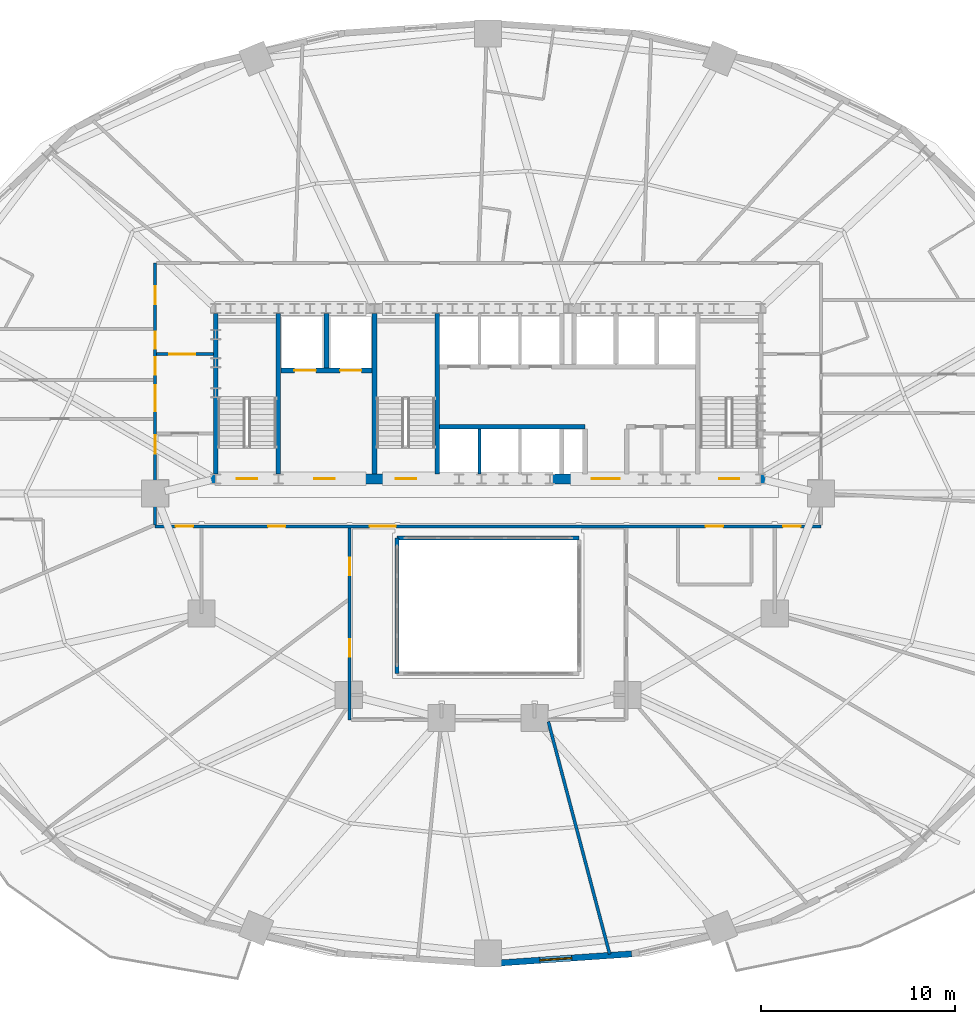
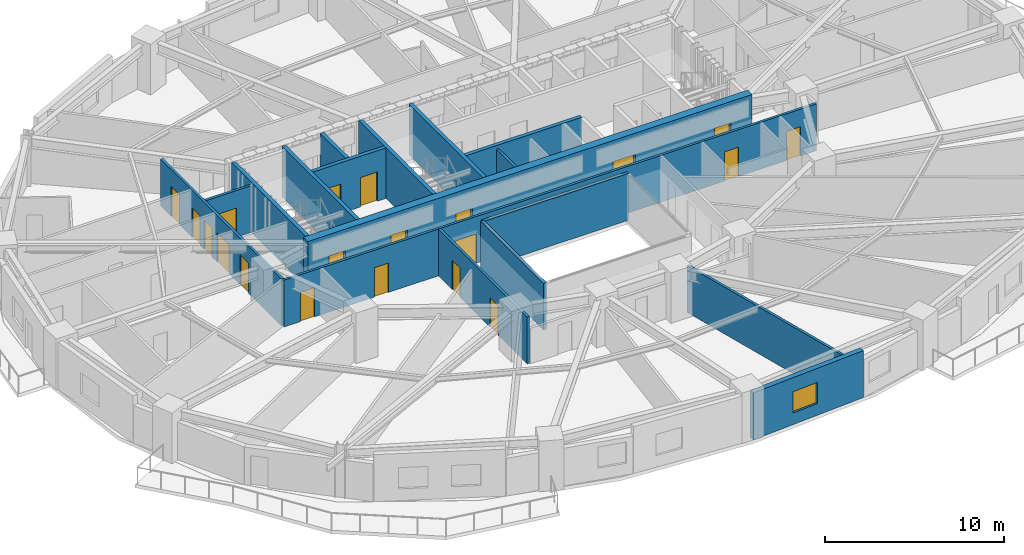
# One storey, part 10 of 18: 20 doors, 17 walls, 1 window, 21 openings.
"""IFC4 building model written with IfcOpenShell, lengths in metres."""

import ifcopenshell
import ifcopenshell.guid

model = None  # the IFC model being written
_history = None  # IfcOwnerHistory: only IFC2X3 demands one
_inside = {}  # id of a spatial element -> (the spatial element, [elements in it])
_under = {}  # id of a project, library or spatial element -> (it, [spatial elements below it])
_declared = {}  # id of a project -> (the project, [libraries it declares])
_typed = {}  # id of a type object -> (the type object, [elements of that type])
_made_of = {}  # id of a material, layer set ... -> (it, [elements and type objects made of it])


def new_model(schema):
    """Start an empty IFC model of exactly this schema.

    Asked for "IFC4X3", IfcOpenShell would pick the latest addendum, in which some entities
    have other attributes; the version numbers below select the first issue.
    IFC2X3 requires an IfcOwnerHistory on every rooted entity: one is made here for all.
    """
    global model, _history
    if schema == "IFC4X3":
        model = ifcopenshell.file(schema_version=(4, 3, 0, 0))
    else:
        model = ifcopenshell.file(schema=schema)
    _inside.clear()
    _under.clear()
    _declared.clear()
    _typed.clear()
    _made_of.clear()
    _history = None
    if model.schema == "IFC2X3":
        org = make("IfcOrganization", Name="unknown")
        user = make(
            "IfcPersonAndOrganization",
            ThePerson=make("IfcPerson", FamilyName="unknown"),
            TheOrganization=org,
        )
        app = make(
            "IfcApplication",
            ApplicationDeveloper=org,
            Version="unknown",
            ApplicationFullName="unknown",
            ApplicationIdentifier="unknown",
        )
        _history = make(
            "IfcOwnerHistory",
            OwningUser=user,
            OwningApplication=app,
            ChangeAction="ADDED",
            CreationDate=0,
        )
    return model


def make(cls, **values):
    """One entity of the class cls with the attributes given. An attribute that is None is left unset."""
    return model.create_entity(
        cls, **{name: value for name, value in values.items() if value is not None}
    )


def rooted(cls, **values):
    """An entity with a GlobalId (a new one), such as an element, a storey or a relation."""
    return make(cls, GlobalId=ifcopenshell.guid.new(), OwnerHistory=_history, **values)


def si_unit(unit_type, name, prefix=None):
    """IfcSIUnit, for example si_unit("LENGTHUNIT", "METRE", prefix="MILLI")."""
    return make("IfcSIUnit", UnitType=unit_type, Prefix=prefix, Name=name)


def assignment(units):
    """IfcUnitAssignment: the units of a project."""
    return None if units is None else make("IfcUnitAssignment", Units=units)


def point(xyz):
    """IfcCartesianPoint."""
    return None if xyz is None else make("IfcCartesianPoint", Coordinates=xyz)


def direction(xyz):
    """IfcDirection."""
    return None if xyz is None else make("IfcDirection", DirectionRatios=xyz)


def frame(location, z_axis=None, x_axis=None):
    """IfcAxis2Placement3D, a coordinate frame: its origin and axes. An axis left out is left unset."""
    return make(
        "IfcAxis2Placement3D",
        Location=point(location),
        Axis=direction(z_axis),
        RefDirection=direction(x_axis),
    )


def frame_2d(location, x_axis=None):
    """IfcAxis2Placement2D, a coordinate frame in the plane: its origin and x axis."""
    return make(
        "IfcAxis2Placement2D", Location=point(location), RefDirection=direction(x_axis)
    )


def origin():
    """The frame at (0, 0, 0) with its axes left unset."""
    return frame((0.0, 0.0, 0.0))


def place(relative_to, where):
    """IfcLocalPlacement: puts the frame where relative to a parent placement (None: the world)."""
    return make(
        "IfcLocalPlacement", PlacementRelTo=relative_to, RelativePlacement=where
    )


def context(
    kind, dimensions, precision=None, world=None, true_north=None, identifier=None
):
    """IfcGeometricRepresentationContext, for example the 3D "Model" context."""
    return make(
        "IfcGeometricRepresentationContext",
        ContextIdentifier=identifier,
        ContextType=kind,
        CoordinateSpaceDimension=dimensions,
        Precision=precision,
        WorldCoordinateSystem=world,
        TrueNorth=true_north,
    )


def subcontext(parent, identifier, kind, view, scale=None):
    """IfcGeometricRepresentationSubContext, for example "Body" below "Model"."""
    return make(
        "IfcGeometricRepresentationSubContext",
        ContextIdentifier=identifier,
        ContextType=kind,
        ParentContext=parent,
        TargetScale=scale,
        TargetView=view,
    )


def project(units=None, contexts=None):
    """IfcProject with its units and contexts."""
    return rooted(
        "IfcProject",
        Name="project",
        RepresentationContexts=contexts,
        UnitsInContext=assignment(units),
    )


def spatial(cls, under=None, at=None, **own):
    """A site, building, storey or space (cls), placed at a placement, below another one or the project."""
    s = rooted(cls, ObjectPlacement=at, **own)
    if under is not None:
        _under.setdefault(under.id(), (under, []))[1].append(s)
    return s


def profile(cls, at=None, kind="AREA", **sizes):
    """A parametric profile (cls). Its sizes go by their IFC names, for example OverallWidth=200.0."""
    return make(cls, ProfileType=kind, Position=at, **sizes)


def rectangle(**sizes):
    """IfcRectangleProfileDef."""
    return profile("IfcRectangleProfileDef", **sizes)


def extrude(swept, where, along, depth):
    """IfcExtrudedAreaSolid: the profile swept, set in the frame where, extruded along a direction by depth."""
    return make(
        "IfcExtrudedAreaSolid",
        SweptArea=swept,
        Position=where,
        ExtrudedDirection=direction(along),
        Depth=depth,
    )


def shape(context_of_items, identifier, shape_type, items):
    """IfcShapeRepresentation: the items that make up one representation, for example the "Body"."""
    return make(
        "IfcShapeRepresentation",
        ContextOfItems=context_of_items,
        RepresentationIdentifier=identifier,
        RepresentationType=shape_type,
        Items=items,
    )


def material(Name=None, Category=None):
    """IfcMaterial."""
    return make("IfcMaterial", Name=Name, Category=Category)


def layer(
    of_material, thickness, ventilated=None, Name=None, Category=None, Priority=None
):
    """IfcMaterialLayer: one layer of a wall or slab, of a material (None: an air gap)."""
    return make(
        "IfcMaterialLayer",
        Material=of_material,
        LayerThickness=thickness,
        IsVentilated=ventilated,
        Name=Name,
        Category=Category,
        Priority=Priority,
    )


def layer_set(layers, Name=None):
    """IfcMaterialLayerSet."""
    return make("IfcMaterialLayerSet", MaterialLayers=layers, LayerSetName=Name)


def made_of(thing, what):
    """Note that an element or type object is made of a material, layer set ...; save() writes the relation."""
    if what is not None:
        _made_of.setdefault(what.id(), (what, []))[1].append(thing)
    return thing


def type_object(cls, material=None, **own):
    """A type object (cls), such as IfcWallType, which elements share."""
    return made_of(rooted(cls, **own), material)


def element(
    cls,
    number,
    at=None,
    inside=None,
    cuts=None,
    type_object=None,
    material=None,
    context=None,
    identifier="Body",
    shape_type=None,
    held_by="IfcProductDefinitionShape",
    body=None,
    shapes=None,
    **own,
):
    """One element of the class cls, such as IfcWall. Its Tag is "e" and its number.

    at: its placement. inside: the storey or other place that contains it. cuts: it is an
    opening in that element (IfcRelVoidsElement). A single representation is given by context,
    identifier, shape_type and body (its items); several are given by shapes. held_by: the class
    of the entity that holds the representations. save() writes the other relations.
    """
    e = rooted(cls, Tag="e%d" % number, ObjectPlacement=at, **own)
    if body is not None:
        shapes = [shape(context, identifier, shape_type, body)]
    if shapes is not None:
        e.Representation = make(held_by, Representations=shapes)
    if inside is not None:
        _inside.setdefault(inside.id(), (inside, []))[1].append(e)
    if cuts is not None:
        rooted(
            "IfcRelVoidsElement", RelatingBuildingElement=cuts, RelatedOpeningElement=e
        )
    if type_object is not None:
        _typed.setdefault(type_object.id(), (type_object, []))[1].append(e)
    return made_of(e, material)


def fill(opening, filler):
    """IfcRelFillsElement: the door or window that sits in an opening."""
    return rooted(
        "IfcRelFillsElement",
        RelatingOpeningElement=opening,
        RelatedBuildingElement=filler,
    )


def aggregate(whole, parts):
    """IfcRelAggregates: a whole, such as a stair, and the parts it consists of."""
    return rooted("IfcRelAggregates", RelatingObject=whole, RelatedObjects=parts)


def save(model, path):
    """Write the relations noted so far, then the file.

    IfcRelAggregates (storeys below a building ...), IfcRelContainedInSpatialStructure (elements
    in a storey), IfcRelDefinesByType, IfcRelAssociatesMaterial and IfcRelDeclares: one each for
    every whole, place, type object, material and project.
    """
    for whole, parts in _under.values():
        aggregate(whole, parts)
    for where, things in _inside.values():
        rooted(
            "IfcRelContainedInSpatialStructure",
            RelatedElements=things,
            RelatingStructure=where,
        )
    for kind, things in _typed.values():
        rooted("IfcRelDefinesByType", RelatedObjects=things, RelatingType=kind)
    for what, things in _made_of.values():
        rooted("IfcRelAssociatesMaterial", RelatedObjects=things, RelatingMaterial=what)
    for by, libraries in _declared.values():
        rooted("IfcRelDeclares", RelatingContext=by, RelatedDefinitions=libraries)
    model.write(path)


model = new_model("IFC4")

# Units and contexts
model_context = context("Model", 3, precision=1e-05, world=origin(), true_north=direction((0.0, 1.0)))
body_context = subcontext(model_context, "Body", "Model", "MODEL_VIEW")
ifc_project = project(units=[si_unit("LENGTHUNIT", "METRE"), si_unit("AREAUNIT", "SQUARE_METRE"), si_unit("VOLUMEUNIT", "CUBIC_METRE"), si_unit("PLANEANGLEUNIT", "RADIAN"), si_unit("MASSUNIT", "GRAM", prefix="KILO")], contexts=[model_context])

# Site, building, storey
site_placement = place(None, origin())
site = spatial("IfcSite", under=ifc_project, at=site_placement, CompositionType="ELEMENT")
building_placement = place(site_placement, origin())
building = spatial("IfcBuilding", under=site, at=building_placement, Name="Haldorwick Loom Tower", CompositionType="ELEMENT")
storey_placement = place(building_placement, frame((0.0, 0.0, 48.14990234375)))
storey = spatial("IfcBuildingStorey", under=building, at=storey_placement, Name="L12", CompositionType="ELEMENT", Elevation=48.14990234375)

# Wall, opening, window
ifc_material_1 = material(Name="Pressed Clay Face Brick and Insulated Masonry Backup Assembly", Category="masonry")
ifc_layer_1 = layer(ifc_material_1, 0.320068359375, Name="Pressed Clay Face Brick and Insulated Masonry Backup Assembly", Category="masonry")
ifc_layer_set_1 = layer_set([ifc_layer_1], Name="Pressed Clay Face Brick and Insulated Masonry Backup Assembly")
wall_type_1 = type_object("IfcWallType", Name="ARC-WL-EXT320", PredefinedType="STANDARD", material=ifc_layer_set_1)
wall_1_placement = place(storey_placement, frame((36.0, 1.7099609375, 0.0), z_axis=(0.0, 0.0, 1.0), x_axis=(0.997645161917, 0.068586667092, 0.0)))
wall_1 = element("IfcWall", 1, at=wall_1_placement, inside=storey, type_object=wall_type_1, Name="L12 Brick Pier and Spandrel Wall 19", PredefinedType="STANDARD", context=body_context, shape_type="SweptSolid", body=[
    extrude(rectangle(XDim=7.428955078125, YDim=0.320068359375, at=frame_2d((3.71435546875, 0.0))), origin(), (0.0, 0.0, 1.0), 3.210205078125),
])
opening_1_placement = place(wall_1_placement, frame((2.679443359375, 0.0, 0.800048828125)))
opening_1 = element("IfcOpeningElement", 2, at=opening_1_placement, cuts=wall_1, Name="Opening W-01B", PredefinedType="OPENING", context=body_context, shape_type="SweptSolid", body=[
    extrude(rectangle(XDim=1.64990234375, YDim=1.449951171875, at=frame_2d((0.824951171875, 0.72509765625))), frame((0.0, 0.169921875, 0.0), z_axis=(0.0, -1.0, 0.0), x_axis=(1.0, 0.0, 0.0)), (0.0, 0.0, 1.0), 0.340087890625),
])
ifc_material_2 = material(Name="Triple-Glazed Low-E Argon Insulated Glazing Unit", Category="glass")
window_type = type_object("IfcWindowType", Name="ARC-WIN-W165", PartitioningType="SINGLE_PANEL", PredefinedType="WINDOW", material=ifc_material_2)
window_placement = place(opening_1_placement, origin())
window = element("IfcWindow", 3, at=window_placement, inside=storey, type_object=window_type, Name="L12 Deep-Set Zone 7A Window 19", OverallHeight=1.449951171875, OverallWidth=1.64990234375, PartitioningType="SINGLE_PANEL", PredefinedType="WINDOW", context=body_context, shape_type="SweptSolid", body=[
    extrude(rectangle(XDim=1.64990234375, YDim=1.449951171875, at=frame_2d((0.824951171875, 0.72509765625))), frame((0.0, 0.030029296875, 0.0), z_axis=(0.0, -1.0, 0.0), x_axis=(1.0, 0.0, 0.0)), (0.0, 0.0, 1.0), 0.06005859375),
])
fill(opening_1, window)

# Wall, openings, doors
ifc_material_3 = material(Name="Fire-Rated Type X Gypsum Stud Assembly EI 60")
ifc_layer_2 = layer(ifc_material_3, 0.159912109375, Name="Fire-Rated Type X Gypsum Stud Assembly EI 60")
ifc_layer_set_2 = layer_set([ifc_layer_2], Name="Fire-Rated Type X Gypsum Stud Assembly EI 60")
wall_type_2 = type_object("IfcWallType", Name="ARC-WL-FIRE160", PredefinedType="PARTITIONING", material=ifc_layer_set_2)
wall_2_placement = place(storey_placement, frame((18.800048828125, 24.300048828125, 0.0), z_axis=(0.0, 0.0, 1.0), x_axis=(1.0, 0.0, 0.0)))
wall_2 = element("IfcWall", 4, at=wall_2_placement, inside=storey, type_object=wall_type_2, Name="L12 Residential Fire Partition L12-CR-SP", PredefinedType="PARTITIONING", context=body_context, shape_type="SweptSolid", body=[
    extrude(rectangle(XDim=34.39990234375, YDim=0.159912109375, at=frame_2d((17.199951171875, 0.0))), origin(), (0.0, 0.0, 1.0), 3.195068359375),
])
opening_2_placement = place(wall_2_placement, frame((11.085693359375, 0.0, 0.0)))
opening_2 = element("IfcOpeningElement", 5, at=opening_2_placement, cuts=wall_2, Name="Opening D-CR15", PredefinedType="OPENING", context=body_context, shape_type="SweptSolid", body=[
    extrude(rectangle(XDim=1.35009765625, YDim=2.0, at=frame_2d((0.675048828125, 1.0))), frame((0.0, 0.08984375, 0.0), z_axis=(0.0, -1.0, 0.0), x_axis=(1.0, 0.0, 0.0)), (0.0, 0.0, 1.0), 0.179931640625),
])
opening_3_placement = place(wall_2_placement, frame((5.834716796875, 0.0, 0.0)))
opening_3 = element("IfcOpeningElement", 6, at=opening_3_placement, cuts=wall_2, Name="Opening D-FD60A", PredefinedType="OPENING", context=body_context, shape_type="SweptSolid", body=[
    extrude(rectangle(XDim=0.89990234375, YDim=2.0, at=frame_2d((0.449951171875, 1.0))), frame((0.0, 0.08984375, 0.0), z_axis=(0.0, -1.0, 0.0), x_axis=(1.0, 0.0, 0.0)), (0.0, 0.0, 1.0), 0.179931640625),
])
opening_4_placement = place(wall_2_placement, frame((28.437255859375, 0.0, 0.0)))
opening_4 = element("IfcOpeningElement", 7, at=opening_4_placement, cuts=wall_2, Name="Opening D-FD60A", PredefinedType="OPENING", context=body_context, shape_type="SweptSolid", body=[
    extrude(rectangle(XDim=0.89990234375, YDim=2.0, at=frame_2d((0.449951171875, 1.0))), frame((0.0, 0.08984375, 0.0), z_axis=(0.0, -1.0, 0.0), x_axis=(1.0, 0.0, 0.0)), (0.0, 0.0, 1.0), 0.179931640625),
])
opening_5_placement = place(wall_2_placement, frame((1.063232421875, 0.0, 0.0)))
opening_5 = element("IfcOpeningElement", 8, at=opening_5_placement, cuts=wall_2, Name="Opening D-FD60A", PredefinedType="OPENING", context=body_context, shape_type="SweptSolid", body=[
    extrude(rectangle(XDim=0.89990234375, YDim=2.0, at=frame_2d((0.449951171875, 1.0))), frame((0.0, 0.08984375, 0.0), z_axis=(0.0, -1.0, 0.0), x_axis=(1.0, 0.0, 0.0)), (0.0, 0.0, 1.0), 0.179931640625),
])
opening_6_placement = place(wall_2_placement, frame((32.436767578125, 0.0, 0.0)))
opening_6 = element("IfcOpeningElement", 9, at=opening_6_placement, cuts=wall_2, Name="Opening D-FD60A", PredefinedType="OPENING", context=body_context, shape_type="SweptSolid", body=[
    extrude(rectangle(XDim=0.89990234375, YDim=2.0, at=frame_2d((0.449951171875, 1.0))), frame((0.0, 0.08984375, 0.0), z_axis=(0.0, -1.0, 0.0), x_axis=(1.0, 0.0, 0.0)), (0.0, 0.0, 1.0), 0.179931640625),
])
ifc_material_4 = material(Name="Thermally Broken Anodized Aluminium and Tempered Glass", Category="aluminium")
door_type_1 = type_object("IfcDoorType", Name="ARC-DR-COR150", OperationType="NOTDEFINED", PredefinedType="DOOR", material=ifc_material_4)
door_1_placement = place(opening_2_placement, origin())
door_1 = element("IfcDoor", 10, at=door_1_placement, inside=storey, type_object=door_type_1, Name="L12 L12 Central Residential Corridor to L12 South Atrium Corridor Door", OperationType="DOUBLE_DOOR_SINGLE_SWING", OverallHeight=2.0, OverallWidth=1.35009765625, PredefinedType="DOOR", context=body_context, shape_type="SweptSolid", body=[
    extrude(rectangle(XDim=1.35009765625, YDim=2.0, at=frame_2d((0.675048828125, 1.0))), frame((0.0, 0.02490234375, 0.0), z_axis=(0.0, -1.0, 0.0), x_axis=(1.0, 0.0, 0.0)), (0.0, 0.0, 1.0), 0.050048828125),
])
fill(opening_2, door_1)
ifc_material_5 = material(Name="Hollow Steel Fire Door Assembly", Category="steel")
door_type_2 = type_object("IfcDoorType", Name="ARC-DR-FD60-90", OperationType="NOTDEFINED", PredefinedType="DOOR", material=ifc_material_5)
door_2_placement = place(opening_3_placement, origin())
door_2 = element("IfcDoor", 11, at=door_2_placement, inside=storey, type_object=door_type_2, Name="L12 L12 Central Residential Corridor to Community Teaching Classroom 10 ", OperationType="SINGLE_SWING_LEFT", OverallHeight=2.0, OverallWidth=0.89990234375, PredefinedType="DOOR", context=body_context, shape_type="SweptSolid", body=[
    extrude(rectangle(XDim=0.89990234375, YDim=2.0, at=frame_2d((0.449951171875, 1.0))), frame((0.0, 0.02490234375, 0.0), z_axis=(0.0, -1.0, 0.0), x_axis=(1.0, 0.0, 0.0)), (0.0, 0.0, 1.0), 0.050048828125),
])
fill(opening_3, door_2)
door_3_placement = place(opening_4_placement, origin())
door_3 = element("IfcDoor", 12, at=door_3_placement, inside=storey, type_object=door_type_2, Name="L12 L12 Central Residential Corridor to Common Accessible WC Door", OperationType="SINGLE_SWING_RIGHT", OverallHeight=2.0, OverallWidth=0.89990234375, PredefinedType="DOOR", context=body_context, shape_type="SweptSolid", body=[
    extrude(rectangle(XDim=0.89990234375, YDim=2.0, at=frame_2d((0.449951171875, 1.0))), frame((0.0, 0.02490234375, 0.0), z_axis=(0.0, -1.0, 0.0), x_axis=(1.0, 0.0, 0.0)), (0.0, 0.0, 1.0), 0.050048828125),
])
fill(opening_4, door_3)
door_4_placement = place(opening_5_placement, origin())
door_4 = element("IfcDoor", 13, at=door_4_placement, inside=storey, type_object=door_type_2, Name="L12 L12 Central Residential Corridor to Community Teaching Classroom 2 D", OperationType="SINGLE_SWING_LEFT", OverallHeight=2.0, OverallWidth=0.89990234375, PredefinedType="DOOR", context=body_context, shape_type="SweptSolid", body=[
    extrude(rectangle(XDim=0.89990234375, YDim=2.0, at=frame_2d((0.449951171875, 1.0))), frame((0.0, 0.02490234375, 0.0), z_axis=(0.0, -1.0, 0.0), x_axis=(1.0, 0.0, 0.0)), (0.0, 0.0, 1.0), 0.050048828125),
])
fill(opening_5, door_4)
door_5_placement = place(opening_6_placement, origin())
door_5 = element("IfcDoor", 14, at=door_5_placement, inside=storey, type_object=door_type_2, Name="L12 L12 Central Residential Corridor to Community Teaching Classroom 1 D", OperationType="SINGLE_SWING_RIGHT", OverallHeight=2.0, OverallWidth=0.89990234375, PredefinedType="DOOR", context=body_context, shape_type="SweptSolid", body=[
    extrude(rectangle(XDim=0.89990234375, YDim=2.0, at=frame_2d((0.449951171875, 1.0))), frame((0.0, 0.02490234375, 0.0), z_axis=(0.0, -1.0, 0.0), x_axis=(1.0, 0.0, 0.0)), (0.0, 0.0, 1.0), 0.050048828125),
])
fill(opening_6, door_5)

wall_3_placement = place(storey_placement, frame((18.800048828125, 24.383056640625, 0.0), z_axis=(0.0, 0.0, 1.0), x_axis=(0.0, 1.0, 0.0)))
wall_3 = element("IfcWall", 15, at=wall_3_placement, inside=storey, type_object=wall_type_2, Name="L12 Residential Fire Partition L12-CR-W0", PredefinedType="PARTITIONING", context=body_context, shape_type="SweptSolid", body=[
    extrude(rectangle(XDim=13.516845703125, YDim=0.159912109375, at=frame_2d((6.75830078125, 0.0))), origin(), (0.0, 0.0, 1.0), 3.195068359375),
])
opening_7_placement = place(wall_3_placement, frame((5.86181640625, 0.0, 0.0)))
opening_7 = element("IfcOpeningElement", 16, at=opening_7_placement, cuts=wall_3, Name="Opening D-CR15", PredefinedType="OPENING", context=body_context, shape_type="SweptSolid", body=[
    extrude(rectangle(XDim=1.35009765625, YDim=2.0, at=frame_2d((0.675048828125, 1.0))), frame((0.0, 0.08984375, 0.0), z_axis=(0.0, -1.0, 0.0), x_axis=(1.0, 0.0, 0.0)), (0.0, 0.0, 1.0), 0.179931640625),
])
opening_8_placement = place(wall_3_placement, frame((3.661865234375, 0.0, 0.0)))
opening_8 = element("IfcOpeningElement", 17, at=opening_8_placement, cuts=wall_3, Name="Opening D-FL95", PredefinedType="OPENING", context=body_context, shape_type="SweptSolid", body=[
    extrude(rectangle(XDim=0.949951171875, YDim=2.0400390625, at=frame_2d((0.47509765625, 1.02001953125))), frame((0.0, 0.08984375, 0.0), z_axis=(0.0, -1.0, 0.0), x_axis=(1.0, 0.0, 0.0)), (0.0, 0.0, 1.0), 0.179931640625),
])
opening_9_placement = place(wall_3_placement, frame((11.380126953125, 0.0, 0.0)))
opening_9 = element("IfcOpeningElement", 18, at=opening_9_placement, cuts=wall_3, Name="Opening D-FL95", PredefinedType="OPENING", context=body_context, shape_type="SweptSolid", body=[
    extrude(rectangle(XDim=0.949951171875, YDim=2.0400390625, at=frame_2d((0.47509765625, 1.02001953125))), frame((0.0, 0.08984375, 0.0), z_axis=(0.0, -1.0, 0.0), x_axis=(1.0, 0.0, 0.0)), (0.0, 0.0, 1.0), 0.179931640625),
])
opening_10_placement = place(wall_3_placement, frame((7.748779296875, 0.0, 0.0)))
opening_10 = element("IfcOpeningElement", 19, at=opening_10_placement, cuts=wall_3, Name="Opening D-FD60A", PredefinedType="OPENING", context=body_context, shape_type="SweptSolid", body=[
    extrude(rectangle(XDim=0.89990234375, YDim=2.0, at=frame_2d((0.449951171875, 1.0))), frame((0.0, 0.08984375, 0.0), z_axis=(0.0, -1.0, 0.0), x_axis=(1.0, 0.0, 0.0)), (0.0, 0.0, 1.0), 0.179931640625),
])
opening_11_placement = place(wall_3_placement, frame((9.078369140625, 0.0, 0.0)))
opening_11 = element("IfcOpeningElement", 20, at=opening_11_placement, cuts=wall_3, Name="Opening D-FD60A", PredefinedType="OPENING", context=body_context, shape_type="SweptSolid", body=[
    extrude(rectangle(XDim=0.89990234375, YDim=2.0, at=frame_2d((0.449951171875, 1.0))), frame((0.0, 0.08984375, 0.0), z_axis=(0.0, -1.0, 0.0), x_axis=(1.0, 0.0, 0.0)), (0.0, 0.0, 1.0), 0.179931640625),
])
door_6_placement = place(opening_7_placement, origin())
door_6 = element("IfcDoor", 21, at=door_6_placement, inside=storey, type_object=door_type_1, Name="L12 L12 West Daylight Corridor to L12 West Residential Corridor Door", OperationType="DOUBLE_DOOR_SINGLE_SWING", OverallHeight=2.0, OverallWidth=1.35009765625, PredefinedType="DOOR", context=body_context, shape_type="SweptSolid", body=[
    extrude(rectangle(XDim=1.35009765625, YDim=2.0, at=frame_2d((0.675048828125, 1.0))), frame((0.0, 0.02490234375, 0.0), z_axis=(0.0, -1.0, 0.0), x_axis=(1.0, 0.0, 0.0)), (0.0, 0.0, 1.0), 0.050048828125),
])
fill(opening_7, door_6)
door_7_placement = place(opening_10_placement, frame((0.89990234375, 0.0, 0.0), z_axis=(0.0, 0.0, 1.0), x_axis=(-1.0, 0.0, 0.0)))
door_7 = element("IfcDoor", 22, at=door_7_placement, inside=storey, type_object=door_type_2, Name="L12 Board Study Room 3 to L12 West Residential Corridor Door", OperationType="SINGLE_SWING_LEFT", OverallHeight=2.0, OverallWidth=0.89990234375, PredefinedType="DOOR", context=body_context, shape_type="SweptSolid", body=[
    extrude(rectangle(XDim=0.89990234375, YDim=2.0, at=frame_2d((0.449951171875, 1.0))), frame((0.0, 0.02490234375, 0.0), z_axis=(0.0, -1.0, 0.0), x_axis=(1.0, 0.0, 0.0)), (0.0, 0.0, 1.0), 0.050048828125),
])
fill(opening_10, door_7)
door_8_placement = place(opening_11_placement, frame((0.89990234375, 0.0, 0.0), z_axis=(0.0, 0.0, 1.0), x_axis=(-1.0, 0.0, 0.0)))
door_8 = element("IfcDoor", 23, at=door_8_placement, inside=storey, type_object=door_type_2, Name="L12 Board Study Room 3 to L12 North Residential Corridor Door", OperationType="SINGLE_SWING_RIGHT", OverallHeight=2.0, OverallWidth=0.89990234375, PredefinedType="DOOR", context=body_context, shape_type="SweptSolid", body=[
    extrude(rectangle(XDim=0.89990234375, YDim=2.0, at=frame_2d((0.449951171875, 1.0))), frame((0.0, 0.02490234375, 0.0), z_axis=(0.0, -1.0, 0.0), x_axis=(1.0, 0.0, 0.0)), (0.0, 0.0, 1.0), 0.050048828125),
])
fill(opening_11, door_8)
ifc_material_6 = material(Name="Solid Core Birch Architectural Door")
door_type_3 = type_object("IfcDoorType", Name="ARC-DR-FLAT95", OperationType="NOTDEFINED", PredefinedType="DOOR", material=ifc_material_6)
door_9_placement = place(opening_8_placement, frame((0.949951171875, 0.0, 0.0), z_axis=(0.0, 0.0, 1.0), x_axis=(-1.0, 0.0, 0.0)))
door_9 = element("IfcDoor", 24, at=door_9_placement, inside=storey, type_object=door_type_3, Name="L12 Unit 12L Kitchen and Studio Living Room to L12 Central Residential C", OperationType="SINGLE_SWING_RIGHT", OverallHeight=2.0400390625, OverallWidth=0.949951171875, PredefinedType="DOOR", context=body_context, shape_type="SweptSolid", body=[
    extrude(rectangle(XDim=0.949951171875, YDim=2.0400390625, at=frame_2d((0.47509765625, 1.02001953125))), frame((0.0, 0.02490234375, 0.0), z_axis=(0.0, -1.0, 0.0), x_axis=(1.0, 0.0, 0.0)), (0.0, 0.0, 1.0), 0.050048828125),
])
fill(opening_8, door_9)
door_10_placement = place(opening_9_placement, frame((0.949951171875, 0.0, 0.0), z_axis=(0.0, 0.0, 1.0), x_axis=(-1.0, 0.0, 0.0)))
door_10 = element("IfcDoor", 25, at=door_10_placement, inside=storey, type_object=door_type_3, Name="L12 Unit 12D Kitchen and Studio Living Room to L12 North Residential Cor", OperationType="SINGLE_SWING_LEFT", OverallHeight=2.0400390625, OverallWidth=0.949951171875, PredefinedType="DOOR", context=body_context, shape_type="SweptSolid", body=[
    extrude(rectangle(XDim=0.949951171875, YDim=2.0400390625, at=frame_2d((0.47509765625, 1.02001953125))), frame((0.0, 0.02490234375, 0.0), z_axis=(0.0, -1.0, 0.0), x_axis=(1.0, 0.0, 0.0)), (0.0, 0.0, 1.0), 0.050048828125),
])
fill(opening_9, door_10)

# Wall, opening, door
wall_4_placement = place(storey_placement, frame((18.883056640625, 33.199951171875, 0.0), z_axis=(0.0, 0.0, 1.0), x_axis=(1.0, 0.0, 0.0)))
wall_4 = element("IfcWall", 26, at=wall_4_placement, inside=storey, type_object=wall_type_2, Name="L12 Residential Fire Partition L12-CR-WNJ", PredefinedType="PARTITIONING", context=body_context, shape_type="SweptSolid", body=[
    extrude(rectangle(XDim=2.923828125, YDim=0.159912109375, at=frame_2d((1.4619140625, 0.0))), origin(), (0.0, 0.0, 1.0), 3.195068359375),
])
opening_12_placement = place(wall_4_placement, frame((0.637939453125, 0.0, 0.0)))
opening_12 = element("IfcOpeningElement", 27, at=opening_12_placement, cuts=wall_4, Name="Opening D-CR15", PredefinedType="OPENING", context=body_context, shape_type="SweptSolid", body=[
    extrude(rectangle(XDim=1.35009765625, YDim=2.0, at=frame_2d((0.675048828125, 1.0))), frame((0.0, 0.08984375, 0.0), z_axis=(0.0, -1.0, 0.0), x_axis=(1.0, 0.0, 0.0)), (0.0, 0.0, 1.0), 0.179931640625),
])
door_11_placement = place(opening_12_placement, origin())
door_11 = element("IfcDoor", 28, at=door_11_placement, inside=storey, type_object=door_type_1, Name="L12 L12 North Residential Corridor to L12 West Residential Corridor Door", OperationType="DOUBLE_DOOR_SINGLE_SWING", OverallHeight=2.0, OverallWidth=1.35009765625, PredefinedType="DOOR", context=body_context, shape_type="SweptSolid", body=[
    extrude(rectangle(XDim=1.35009765625, YDim=2.0, at=frame_2d((0.675048828125, 1.0))), frame((0.0, 0.02490234375, 0.0), z_axis=(0.0, -1.0, 0.0), x_axis=(1.0, 0.0, 0.0)), (0.0, 0.0, 1.0), 0.050048828125),
])
fill(opening_12, door_11)

# Wall, openings, doors
wall_5_placement = place(storey_placement, frame((28.85009765625, 14.300048828125, 0.0), z_axis=(0.0, 0.0, 1.0), x_axis=(0.0, 1.0, 0.0)))
wall_5 = element("IfcWall", 29, at=wall_5_placement, inside=storey, type_object=wall_type_2, Name="L12 Residential Fire Partition L12-CR-AW", PredefinedType="PARTITIONING", context=body_context, shape_type="SweptSolid", body=[
    extrude(rectangle(XDim=9.9169921875, YDim=0.159912109375, at=frame_2d((4.95849609375, 0.0))), origin(), (0.0, 0.0, 1.0), 3.195068359375),
])
opening_13_placement = place(wall_5_placement, frame((3.273681640625, 0.0, 0.0)))
opening_13 = element("IfcOpeningElement", 30, at=opening_13_placement, cuts=wall_5, Name="Opening D-FD60A", PredefinedType="OPENING", context=body_context, shape_type="SweptSolid", body=[
    extrude(rectangle(XDim=0.89990234375, YDim=2.0, at=frame_2d((0.449951171875, 1.0))), frame((0.0, 0.08984375, 0.0), z_axis=(0.0, -1.0, 0.0), x_axis=(1.0, 0.0, 0.0)), (0.0, 0.0, 1.0), 0.179931640625),
])
opening_14_placement = place(wall_5_placement, frame((7.483642578125, 0.0, 0.0)))
opening_14 = element("IfcOpeningElement", 31, at=opening_14_placement, cuts=wall_5, Name="Opening D-FD60A", PredefinedType="OPENING", context=body_context, shape_type="SweptSolid", body=[
    extrude(rectangle(XDim=0.89990234375, YDim=2.0, at=frame_2d((0.449951171875, 1.0))), frame((0.0, 0.08984375, 0.0), z_axis=(0.0, -1.0, 0.0), x_axis=(1.0, 0.0, 0.0)), (0.0, 0.0, 1.0), 0.179931640625),
])
door_12_placement = place(opening_13_placement, frame((0.89990234375, 0.0, 0.0), z_axis=(0.0, 0.0, 1.0), x_axis=(-1.0, 0.0, 0.0)))
door_12 = element("IfcDoor", 32, at=door_12_placement, inside=storey, type_object=door_type_2, Name="L12 Community Teaching Classroom 16 to L12 South Atrium Corridor Door", OperationType="SINGLE_SWING_RIGHT", OverallHeight=2.0, OverallWidth=0.89990234375, PredefinedType="DOOR", context=body_context, shape_type="SweptSolid", body=[
    extrude(rectangle(XDim=0.89990234375, YDim=2.0, at=frame_2d((0.449951171875, 1.0))), frame((0.0, 0.02490234375, 0.0), z_axis=(0.0, -1.0, 0.0), x_axis=(1.0, 0.0, 0.0)), (0.0, 0.0, 1.0), 0.050048828125),
])
fill(opening_13, door_12)
door_13_placement = place(opening_14_placement, frame((0.89990234375, 0.0, 0.0), z_axis=(0.0, 0.0, 1.0), x_axis=(-1.0, 0.0, 0.0)))
door_13 = element("IfcDoor", 33, at=door_13_placement, inside=storey, type_object=door_type_2, Name="L12 Community Teaching Classroom 10 to L12 South Atrium Corridor Door", OperationType="SINGLE_SWING_LEFT", OverallHeight=2.0, OverallWidth=0.89990234375, PredefinedType="DOOR", context=body_context, shape_type="SweptSolid", body=[
    extrude(rectangle(XDim=0.89990234375, YDim=2.0, at=frame_2d((0.449951171875, 1.0))), frame((0.0, 0.02490234375, 0.0), z_axis=(0.0, -1.0, 0.0), x_axis=(1.0, 0.0, 0.0)), (0.0, 0.0, 1.0), 0.050048828125),
])
fill(opening_14, door_13)

# Walls
wall_6_placement = place(storey_placement, frame((39.1083984375, 14.217041015625, 0.0), z_axis=(0.0, 0.0, 1.0), x_axis=(0.255103728275, -0.966913692022, 0.0)))
element("IfcWall", 34, at=wall_6_placement, inside=storey, type_object=wall_type_2, Name="L12 Suite Split Wall", PredefinedType="PARTITIONING", context=body_context, shape_type="SweptSolid", body=[
    extrude(rectangle(XDim=12.421142578125, YDim=0.159912109375, at=frame_2d((6.21044921875, 0.0))), origin(), (0.0, 0.0, 1.0), 3.195068359375),
])
ifc_material_7 = material(Name="Fire-Rated Type X Gypsum Stud Assembly EI 120")
ifc_layer_3 = layer(ifc_material_7, 0.199951171875, Name="Fire-Rated Type X Gypsum Stud Assembly EI 120")
ifc_layer_set_3 = layer_set([ifc_layer_3], Name="Fire-Rated Type X Gypsum Stud Assembly EI 120")
wall_type_3 = type_object("IfcWallType", Name="ARC-WL-FIRE200", PredefinedType="PARTITIONING", material=ifc_layer_set_3)
wall_7_placement = place(storey_placement, frame((31.300048828125, 23.699951171875, 0.0), z_axis=(0.0, 0.0, 1.0), x_axis=(1.0, 0.0, 0.0)))
element("IfcWall", 35, at=wall_7_placement, inside=storey, type_object=wall_type_3, Name="L12 Atrium Fire Enclosure Wall N", PredefinedType="PARTITIONING", context=body_context, shape_type="SweptSolid", body=[
    extrude(rectangle(XDim=9.39990234375, YDim=0.199951171875, at=frame_2d((4.699951171875, 0.0))), origin(), (0.0, 0.0, 1.0), 3.195068359375),
])
wall_8_placement = place(storey_placement, frame((31.300048828125, 16.699951171875, 0.0), z_axis=(0.0, 0.0, 1.0), x_axis=(0.0, 1.0, 0.0)))
element("IfcWall", 36, at=wall_8_placement, inside=storey, type_object=wall_type_3, Name="L12 Atrium Fire Enclosure Wall W", PredefinedType="PARTITIONING", context=body_context, shape_type="SweptSolid", body=[
    extrude(rectangle(XDim=7.0, YDim=0.199951171875, at=frame_2d((3.5, 0.0))), origin(), (0.0, 0.0, 1.0), 3.195068359375),
])
ifc_layer_4 = layer(ifc_material_7, 0.1650390625, Name="Fire-Rated Type X Gypsum Stud Assembly EI 120")
ifc_layer_set_4 = layer_set([ifc_layer_4], Name="Fire-Rated Type X Gypsum Stud Assembly EI 120")
wall_type_4 = type_object("IfcWallType", Name="ARC-WL-SHAFT160", PredefinedType="MOVABLE", material=ifc_layer_set_4)
wall_9_placement = place(storey_placement, frame((35.550048828125, 27.0029296875, 0.0), z_axis=(0.0, 0.0, 1.0), x_axis=(0.0, 1.0, 0.0)))
element("IfcWall", 37, at=wall_9_placement, inside=storey, type_object=wall_type_4, Name="L12 Mid-Rise Hoistway Divider 1", PredefinedType="MOVABLE", context=body_context, shape_type="SweptSolid", body=[
    extrude(rectangle(XDim=2.323974609375, YDim=0.159912109375, at=frame_2d((1.162109375, 0.0))), origin(), (0.0, 0.0, 1.0), 3.195068359375),
])

# Wall, openings, doors
ifc_material_8 = material(Name="Concrete C60 (60 MPa)", Category="concrete")
ifc_layer_5 = layer(ifc_material_8, 0.5, Name="Concrete C60 (60 MPa)", Category="concrete")
ifc_layer_set_5 = layer_set([ifc_layer_5], Name="Concrete C60 (60 MPa)")
wall_type_5 = type_object("IfcWallType", Name="STR-WL-CORE500", PredefinedType="SHEAR", material=ifc_layer_set_5)
wall_10_placement = place(storey_placement, frame((21.64990234375, 26.75, 0.0), z_axis=(0.0, 0.0, 1.0), x_axis=(1.0, 0.0, 0.0)))
wall_10 = element("IfcWall", 38, at=wall_10_placement, inside=storey, type_object=wall_type_5, Name="L12 Core Shear Wall S", PredefinedType="SHEAR", context=body_context, shape_type="SweptSolid", body=[
    extrude(rectangle(XDim=28.7001953125, YDim=0.5, at=frame_2d((14.35009765625, 0.0))), origin(), (0.0, 0.0, 1.0), 3.4501953125),
])
opening_15_placement = place(wall_10_placement, frame((1.375, 0.0, 0.0)))
opening_15 = element("IfcOpeningElement", 39, at=opening_15_placement, cuts=wall_10, Name="Opening D-FD60", PredefinedType="OPENING", context=body_context, shape_type="SweptSolid", body=[
    extrude(rectangle(XDim=1.050048828125, YDim=2.0, at=frame_2d((0.52490234375, 1.0))), frame((0.0, 0.260009765625, 0.0), z_axis=(0.0, -1.0, 0.0), x_axis=(1.0, 0.0, 0.0)), (0.0, 0.0, 1.0), 0.52001953125),
])
opening_16_placement = place(wall_10_placement, frame((5.375, 0.0, 0.0)))
opening_16 = element("IfcOpeningElement", 40, at=opening_16_placement, cuts=wall_10, Name="Opening D-FD60", PredefinedType="OPENING", context=body_context, shape_type="SweptSolid", body=[
    extrude(rectangle(XDim=1.050048828125, YDim=2.0, at=frame_2d((0.52490234375, 1.0))), frame((0.0, 0.260009765625, 0.0), z_axis=(0.0, -1.0, 0.0), x_axis=(1.0, 0.0, 0.0)), (0.0, 0.0, 1.0), 0.52001953125),
])
opening_17_placement = place(wall_10_placement, frame((9.574951171875, 0.0, 0.0)))
opening_17 = element("IfcOpeningElement", 41, at=opening_17_placement, cuts=wall_10, Name="Opening D-FD60", PredefinedType="OPENING", context=body_context, shape_type="SweptSolid", body=[
    extrude(rectangle(XDim=1.050048828125, YDim=2.0, at=frame_2d((0.52490234375, 1.0))), frame((0.0, 0.260009765625, 0.0), z_axis=(0.0, -1.0, 0.0), x_axis=(1.0, 0.0, 0.0)), (0.0, 0.0, 1.0), 0.52001953125),
])
opening_18_placement = place(wall_10_placement, frame((19.705078125, 0.0, 0.0)))
opening_18 = element("IfcOpeningElement", 42, at=opening_18_placement, cuts=wall_10, Name="Opening D-LB15", PredefinedType="OPENING", context=body_context, shape_type="SweptSolid", body=[
    extrude(rectangle(XDim=1.449951171875, YDim=2.0, at=frame_2d((0.72509765625, 1.0))), frame((0.0, 0.260009765625, 0.0), z_axis=(0.0, -1.0, 0.0), x_axis=(1.0, 0.0, 0.0)), (0.0, 0.0, 1.0), 0.52001953125),
])
opening_19_placement = place(wall_10_placement, frame((26.27490234375, 0.0, 0.0)))
opening_19 = element("IfcOpeningElement", 43, at=opening_19_placement, cuts=wall_10, Name="Opening D-FD60", PredefinedType="OPENING", context=body_context, shape_type="SweptSolid", body=[
    extrude(rectangle(XDim=1.050048828125, YDim=2.0, at=frame_2d((0.52490234375, 1.0))), frame((0.0, 0.260009765625, 0.0), z_axis=(0.0, -1.0, 0.0), x_axis=(1.0, 0.0, 0.0)), (0.0, 0.0, 1.0), 0.52001953125),
])
door_type_4 = type_object("IfcDoorType", Name="ARC-DR-FD60", OperationType="NOTDEFINED", PredefinedType="DOOR", material=ifc_material_5)
door_14_placement = place(opening_15_placement, origin())
door_14 = element("IfcDoor", 44, at=door_14_placement, inside=storey, type_object=door_type_4, Name="L12 Exit Stair ST-01 Fire Door", OperationType="SINGLE_SWING_RIGHT", OverallHeight=2.0, OverallWidth=1.050048828125, PredefinedType="DOOR", context=body_context, shape_type="SweptSolid", body=[
    extrude(rectangle(XDim=1.050048828125, YDim=2.0, at=frame_2d((0.52490234375, 1.0))), frame((0.0, 0.02490234375, 0.0), z_axis=(0.0, -1.0, 0.0), x_axis=(1.0, 0.0, 0.0)), (0.0, 0.0, 1.0), 0.050048828125),
])
fill(opening_15, door_14)
door_15_placement = place(opening_16_placement, origin())
door_15 = element("IfcDoor", 45, at=door_15_placement, inside=storey, type_object=door_type_4, Name="L12 Firefighting Lift Lobby Fire Door", OperationType="SINGLE_SWING_LEFT", OverallHeight=2.0, OverallWidth=1.050048828125, PredefinedType="DOOR", context=body_context, shape_type="SweptSolid", body=[
    extrude(rectangle(XDim=1.050048828125, YDim=2.0, at=frame_2d((0.52490234375, 1.0))), frame((0.0, 0.02490234375, 0.0), z_axis=(0.0, -1.0, 0.0), x_axis=(1.0, 0.0, 0.0)), (0.0, 0.0, 1.0), 0.050048828125),
])
fill(opening_16, door_15)
door_16_placement = place(opening_17_placement, origin())
door_16 = element("IfcDoor", 46, at=door_16_placement, inside=storey, type_object=door_type_4, Name="L12 Exit Stair ST-03 Fire Door", OperationType="SINGLE_SWING_LEFT", OverallHeight=2.0, OverallWidth=1.050048828125, PredefinedType="DOOR", context=body_context, shape_type="SweptSolid", body=[
    extrude(rectangle(XDim=1.050048828125, YDim=2.0, at=frame_2d((0.52490234375, 1.0))), frame((0.0, 0.02490234375, 0.0), z_axis=(0.0, -1.0, 0.0), x_axis=(1.0, 0.0, 0.0)), (0.0, 0.0, 1.0), 0.050048828125),
])
fill(opening_17, door_16)
door_17_placement = place(opening_19_placement, origin())
door_17 = element("IfcDoor", 47, at=door_17_placement, inside=storey, type_object=door_type_4, Name="L12 Exit Stair ST-02 Fire Door", OperationType="SINGLE_SWING_LEFT", OverallHeight=2.0, OverallWidth=1.050048828125, PredefinedType="DOOR", context=body_context, shape_type="SweptSolid", body=[
    extrude(rectangle(XDim=1.050048828125, YDim=2.0, at=frame_2d((0.52490234375, 1.0))), frame((0.0, 0.02490234375, 0.0), z_axis=(0.0, -1.0, 0.0), x_axis=(1.0, 0.0, 0.0)), (0.0, 0.0, 1.0), 0.050048828125),
])
fill(opening_19, door_17)
door_type_5 = type_object("IfcDoorType", Name="ARC-DR-LOB150", OperationType="NOTDEFINED", PredefinedType="DOOR", material=ifc_material_4)
door_18_placement = place(opening_18_placement, frame((1.449951171875, 0.0, 0.0), z_axis=(0.0, 0.0, 1.0), x_axis=(-1.0, 0.0, 0.0)))
door_18 = element("IfcDoor", 48, at=door_18_placement, inside=storey, type_object=door_type_5, Name="L12 Passenger Lift Lobby Fire Door", OperationType="DOUBLE_DOOR_SINGLE_SWING", OverallHeight=2.0, OverallWidth=1.449951171875, PredefinedType="DOOR", context=body_context, shape_type="SweptSolid", body=[
    extrude(rectangle(XDim=1.449951171875, YDim=2.0, at=frame_2d((0.72509765625, 1.0))), frame((0.0, 0.02490234375, 0.0), z_axis=(0.0, -1.0, 0.0), x_axis=(1.0, 0.0, 0.0)), (0.0, 0.0, 1.0), 0.050048828125),
])
fill(opening_18, door_18)

# Walls
ifc_material_9 = material(Name="Concrete C50 (50 MPa)", Category="concrete")
ifc_layer_6 = layer(ifc_material_9, 0.239990234375, Name="Concrete C50 (50 MPa)", Category="concrete")
ifc_layer_set_6 = layer_set([ifc_layer_6], Name="Concrete C50 (50 MPa)")
wall_type_6 = type_object("IfcWallType", Name="STR-WL-SHAFT240", PredefinedType="SHEAR", material=ifc_layer_set_6)
for number, where, z_axis, x_axis, name in (
    (49, (21.929931640625, 35.297119140625, 0.0), (0.0, 0.0, 1.0), (0.0, -1.0, 0.0), "L12 Core Shear Wall W"),
    (50, (25.169921875, 27.0029296875, 0.0), (0.0, 0.0, 1.0), (0.0, 1.0, 0.0), "L12 Core Shear Wall 1"),
    (51, (30.1298828125, 27.0029296875, 0.0), (0.0, 0.0, 1.0), (0.0, 1.0, 0.0), "L12 Core Shear Wall 2"),
    (52, (33.3701171875, 27.0029296875, 0.0), (0.0, 0.0, 1.0), (0.0, 1.0, 0.0), "L12 Core Shear Wall 3"),
):
    element("IfcWall", number, at=place(storey_placement, frame(where, z_axis=z_axis, x_axis=x_axis)), inside=storey, type_object=wall_type_6, Name=name, PredefinedType="SHEAR", context=body_context, shape_type="SweptSolid", body=[
        extrude(rectangle(XDim=8.294189453125, YDim=0.239990234375, at=frame_2d((4.14697265625, 0.0))), origin(), (0.0, 0.0, 1.0), 3.4501953125),
    ])

# Wall, openings, doors
wall_11_placement = place(storey_placement, frame((25.29296875, 32.35009765625, 0.0), z_axis=(0.0, 0.0, 1.0), x_axis=(1.0, 0.0, 0.0)))
wall_11 = element("IfcWall", 53, at=wall_11_placement, inside=storey, type_object=wall_type_6, Name="L12 Core Shear Wall FF", PredefinedType="SHEAR", context=body_context, shape_type="SweptSolid", body=[
    extrude(rectangle(XDim=4.714111328125, YDim=0.239990234375, at=frame_2d((2.35693359375, 0.0))), origin(), (0.0, 0.0, 1.0), 3.4501953125),
])
opening_20_placement = place(wall_11_placement, frame((0.70703125, 0.0, 0.0)))
opening_20 = element("IfcOpeningElement", 54, at=opening_20_placement, cuts=wall_11, Name="Opening LD-FF1", PredefinedType="OPENING", context=body_context, shape_type="SweptSolid", body=[
    extrude(rectangle(XDim=1.10009765625, YDim=2.0, at=frame_2d((0.550048828125, 1.0))), frame((0.0, 0.1298828125, 0.0), z_axis=(0.0, -1.0, 0.0), x_axis=(1.0, 0.0, 0.0)), (0.0, 0.0, 1.0), 0.260009765625),
])
opening_21_placement = place(wall_11_placement, frame((3.056884765625, 0.0, 0.0)))
opening_21 = element("IfcOpeningElement", 55, at=opening_21_placement, cuts=wall_11, Name="Opening LD-FF2", PredefinedType="OPENING", context=body_context, shape_type="SweptSolid", body=[
    extrude(rectangle(XDim=1.10009765625, YDim=2.0, at=frame_2d((0.550048828125, 1.0))), frame((0.0, 0.1298828125, 0.0), z_axis=(0.0, -1.0, 0.0), x_axis=(1.0, 0.0, 0.0)), (0.0, 0.0, 1.0), 0.260009765625),
])
door_type_6 = type_object("IfcDoorType", Name="ARC-DR-LD-FF", OperationType="NOTDEFINED", PredefinedType="USERDEFINED", material=ifc_material_5)
door_19_placement = place(opening_20_placement, origin())
door_19 = element("IfcDoor", 56, at=door_19_placement, inside=storey, type_object=door_type_6, Name="L12 Lift LF-FF1 Sliding Landing Door", ObjectType="LANDING DOOR", OperationType="DOUBLE_DOOR_SLIDING", OverallHeight=2.0, OverallWidth=1.10009765625, PredefinedType="USERDEFINED", context=body_context, shape_type="SweptSolid", body=[
    extrude(rectangle(XDim=1.10009765625, YDim=2.0, at=frame_2d((0.550048828125, 1.0))), frame((0.0, 0.02490234375, 0.0), z_axis=(0.0, -1.0, 0.0), x_axis=(1.0, 0.0, 0.0)), (0.0, 0.0, 1.0), 0.050048828125),
])
fill(opening_20, door_19)
door_20_placement = place(opening_21_placement, origin())
door_20 = element("IfcDoor", 57, at=door_20_placement, inside=storey, type_object=door_type_6, Name="L12 Lift LF-FF2 Sliding Landing Door", ObjectType="LANDING DOOR", OperationType="DOUBLE_DOOR_SLIDING", OverallHeight=2.0, OverallWidth=1.10009765625, PredefinedType="USERDEFINED", context=body_context, shape_type="SweptSolid", body=[
    extrude(rectangle(XDim=1.10009765625, YDim=2.0, at=frame_2d((0.550048828125, 1.0))), frame((0.0, 0.02490234375, 0.0), z_axis=(0.0, -1.0, 0.0), x_axis=(1.0, 0.0, 0.0)), (0.0, 0.0, 1.0), 0.050048828125),
])
fill(opening_21, door_20)

# Walls
wall_12_placement = place(storey_placement, frame((27.64990234375, 32.472900390625, 0.0), z_axis=(0.0, 0.0, 1.0), x_axis=(0.0, 1.0, 0.0)))
element("IfcWall", 58, at=wall_12_placement, inside=storey, type_object=wall_type_6, Name="L12 Core Shear Wall FFD", PredefinedType="SHEAR", context=body_context, shape_type="SweptSolid", body=[
    extrude(rectangle(XDim=2.82421875, YDim=0.239990234375, at=frame_2d((1.412109375, 0.0))), origin(), (0.0, 0.0, 1.0), 3.4501953125),
])
wall_13_placement = place(storey_placement, frame((33.492919921875, 29.449951171875, 0.0), z_axis=(0.0, 0.0, 1.0), x_axis=(1.0, 0.0, 0.0)))
element("IfcWall", 59, at=wall_13_placement, inside=storey, type_object=wall_type_6, Name="L12 Core Shear Wall LS1", PredefinedType="SHEAR", context=body_context, shape_type="SweptSolid", body=[
    extrude(rectangle(XDim=7.507080078125, YDim=0.239990234375, at=frame_2d((3.75341796875, 0.0))), origin(), (0.0, 0.0, 1.0), 3.4501953125),
])

save(model, "model.ifc")
